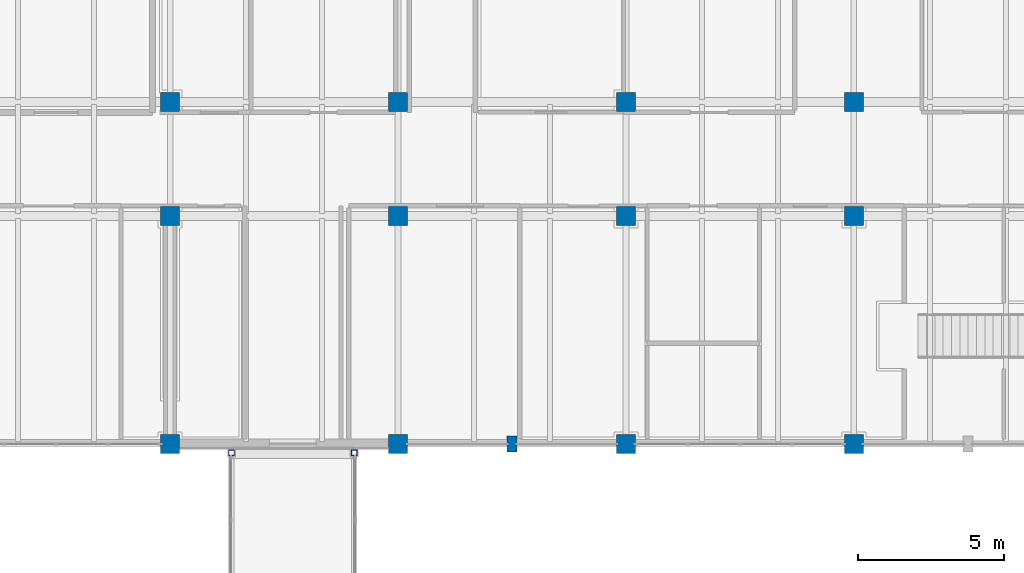
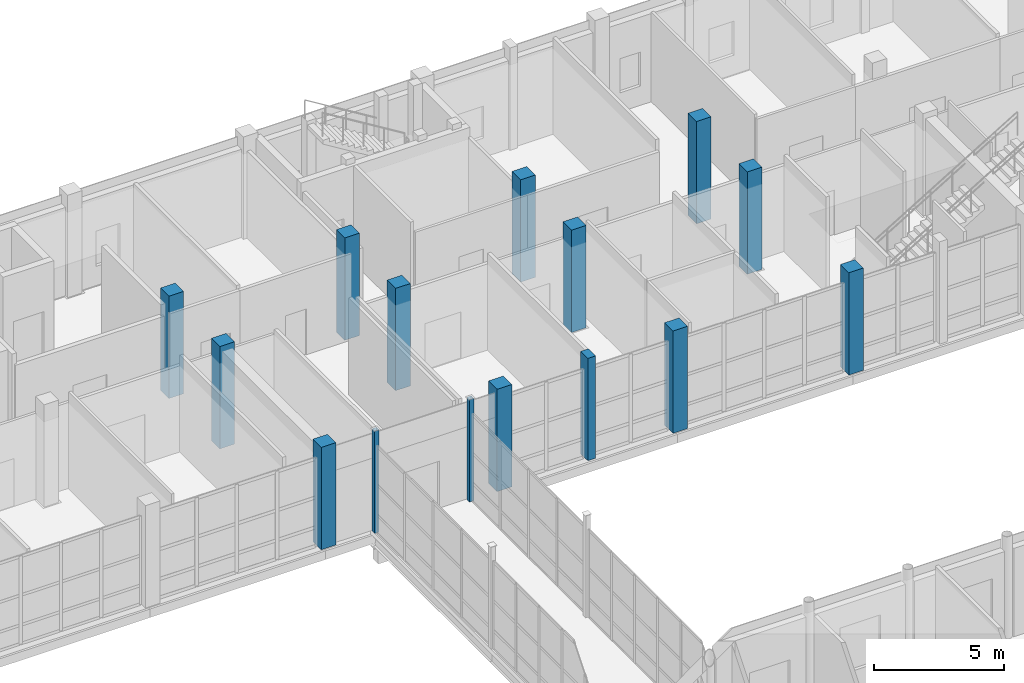
# One storey, part 18 of 131: 15 columns.
"""IFC4 building model written with IfcOpenShell, lengths in metres."""

from ifc_helpers import new_model, si_unit, direction, frame, origin, origin_2d, place, context, subcontext, project, spatial, rectangle, hollow_rectangle, extrude, material, material_profile, profile_set, type_object, element, save


model = new_model("IFC4")

# Units and contexts
model_context = context("Model", 3, precision=1e-05, world=origin(), true_north=direction((0.0, 1.0)))
body_context = subcontext(model_context, "Body", "Model", "MODEL_VIEW")
ifc_project = project(units=[si_unit("LENGTHUNIT", "METRE"), si_unit("AREAUNIT", "SQUARE_METRE"), si_unit("VOLUMEUNIT", "CUBIC_METRE"), si_unit("PLANEANGLEUNIT", "RADIAN"), si_unit("MASSUNIT", "GRAM", prefix="KILO")], contexts=[model_context])

# Site, building, storey
site_placement = place(None, origin())
site = spatial("IfcSite", under=ifc_project, at=site_placement, CompositionType="ELEMENT")
building_placement = place(site_placement, origin())
building = spatial("IfcBuilding", under=site, at=building_placement, Name="Celorna Specialist Clinic", CompositionType="ELEMENT")
storey_placement = place(building_placement, origin())
storey = spatial("IfcBuildingStorey", under=building, at=storey_placement, Name="L00", CompositionType="ELEMENT", Elevation=0.0)

# Columns
ifc_material_1 = material(Name="Concrete C40/50", Category="concrete")
ifc_material_profile_1 = material_profile(ifc_material_1, rectangle(XDim=0.64990234375, YDim=0.64990234375, at=origin_2d()), Name="RC 650x650")
ifc_profile_set_1 = profile_set([ifc_material_profile_1], Name="Concrete C40/50")
column_type_1 = type_object("IfcColumnType", Name="CT-03", PredefinedType="COLUMN", material=ifc_profile_set_1)
for number, where, z_axis, x_axis, name in (
    (1, (70.199951171875, 96.5, 0.0), (0.0, 0.0, 1.0), (1.0, 0.0, 0.0), "Column CT-03 L00 X10/YR"),
    (2, (70.199951171875, 104.300048828125, 0.0), (0.0, 0.0, 1.0), (1.0, 0.0, 0.0), "Column CT-03 L00 X10/YS"),
    (3, (70.199951171875, 108.199951171875, 0.0), (0.0, 0.0, 1.0), (1.0, 0.0, 0.0), "Column CT-03 L00 X10/YT"),
    (4, (78.0, 96.5, 0.0), (0.0, 0.0, 1.0), (1.0, 0.0, 0.0), "Column CT-03 L00 X11/YR"),
    (5, (78.0, 104.300048828125, 0.0), (0.0, 0.0, 1.0), (1.0, 0.0, 0.0), "Column CT-03 L00 X11/YS"),
    (6, (78.0, 108.199951171875, 0.0), (0.0, 0.0, 1.0), (1.0, 0.0, 0.0), "Column CT-03 L00 X11/YT"),
    (7, (85.800048828125, 96.5, 0.0), (0.0, 0.0, 1.0), (1.0, 0.0, 0.0), "Column CT-03 L00 X12/YR"),
    (8, (85.800048828125, 104.300048828125, 0.0), (0.0, 0.0, 1.0), (1.0, 0.0, 0.0), "Column CT-03 L00 X12/YS"),
    (9, (85.800048828125, 108.199951171875, 0.0), (0.0, 0.0, 1.0), (1.0, 0.0, 0.0), "Column CT-03 L00 X12/YT"),
    (10, (93.60009765625, 96.5, 0.0), (0.0, 0.0, 1.0), (1.0, 0.0, 0.0), "Column CT-03 L00 X13/YR"),
    (11, (93.60009765625, 104.300048828125, 0.0), (0.0, 0.0, 1.0), (1.0, 0.0, 0.0), "Column CT-03 L00 X13/YS"),
    (12, (93.60009765625, 108.199951171875, 0.0), (0.0, 0.0, 1.0), (1.0, 0.0, 0.0), "Column CT-03 L00 X13/YT"),
):
    element("IfcColumn", number, at=place(storey_placement, frame(where, z_axis=z_axis, x_axis=x_axis)), inside=storey, type_object=column_type_1, Name=name, PredefinedType="COLUMN", context=body_context, shape_type="SweptSolid", body=[
        extrude(rectangle(XDim=0.64990234375, YDim=0.64990234375, at=origin_2d()), origin(), (0.0, 0.0, 1.0), 4.800048828125),
    ])
ifc_material_2 = material(Name="Steel S355", Category="steel")
ifc_material_profile_2 = material_profile(ifc_material_2, hollow_rectangle(XDim=0.199951171875, YDim=0.199951171875, WallThickness=0.010009765625, at=origin_2d()), Name="SHS 200x200x10")
ifc_profile_set_2 = profile_set([ifc_material_profile_2], Name="Steel S355")
column_type_2 = type_object("IfcColumnType", Name="CT-15", PredefinedType="COLUMN", material=ifc_profile_set_2)
for number, where, z_axis, x_axis, name in (
    (13, (72.300048828125, 96.199951171875, 0.0), (0.0, 0.0, 1.0), (1.0, 0.0, 0.0), "Column CT-15 L00 X10/YR"),
    (14, (76.5, 96.199951171875, 0.0), (0.0, 0.0, 1.0), (1.0, 0.0, 0.0), "Column CT-15 L00 X11/YR"),
):
    element("IfcColumn", number, at=place(storey_placement, frame(where, z_axis=z_axis, x_axis=x_axis)), inside=storey, type_object=column_type_2, Name=name, PredefinedType="COLUMN", context=body_context, shape_type="SweptSolid", body=[
        extrude(hollow_rectangle(XDim=0.199951171875, YDim=0.199951171875, WallThickness=0.010009765625, at=origin_2d()), origin(), (0.0, 0.0, 1.0), 4.800048828125),
    ])
ifc_material_3 = material(Name="Precast concrete C40/50", Category="concrete")
ifc_material_profile_3 = material_profile(ifc_material_3, rectangle(XDim=0.35009765625, YDim=0.550048828125, at=origin_2d()), Name="PILASTER 350x550")
ifc_profile_set_3 = profile_set([ifc_material_profile_3], Name="Precast concrete C40/50")
column_type_3 = type_object("IfcColumnType", Name="CT-16", PredefinedType="PILASTER", material=ifc_profile_set_3)
column_placement = place(storey_placement, frame((81.89990234375, 96.5, 0.0), z_axis=(0.0, 0.0, 1.0), x_axis=(1.0, 0.0, 0.0)))
element("IfcColumn", 15, at=column_placement, inside=storey, type_object=column_type_3, Name="Court veranda pilaster CT-16 L00 X12/YR", PredefinedType="PILASTER", context=body_context, shape_type="SweptSolid", body=[
    extrude(rectangle(XDim=0.35009765625, YDim=0.550048828125, at=origin_2d()), origin(), (0.0, 0.0, 1.0), 4.800048828125),
])

save(model, "model.ifc")
